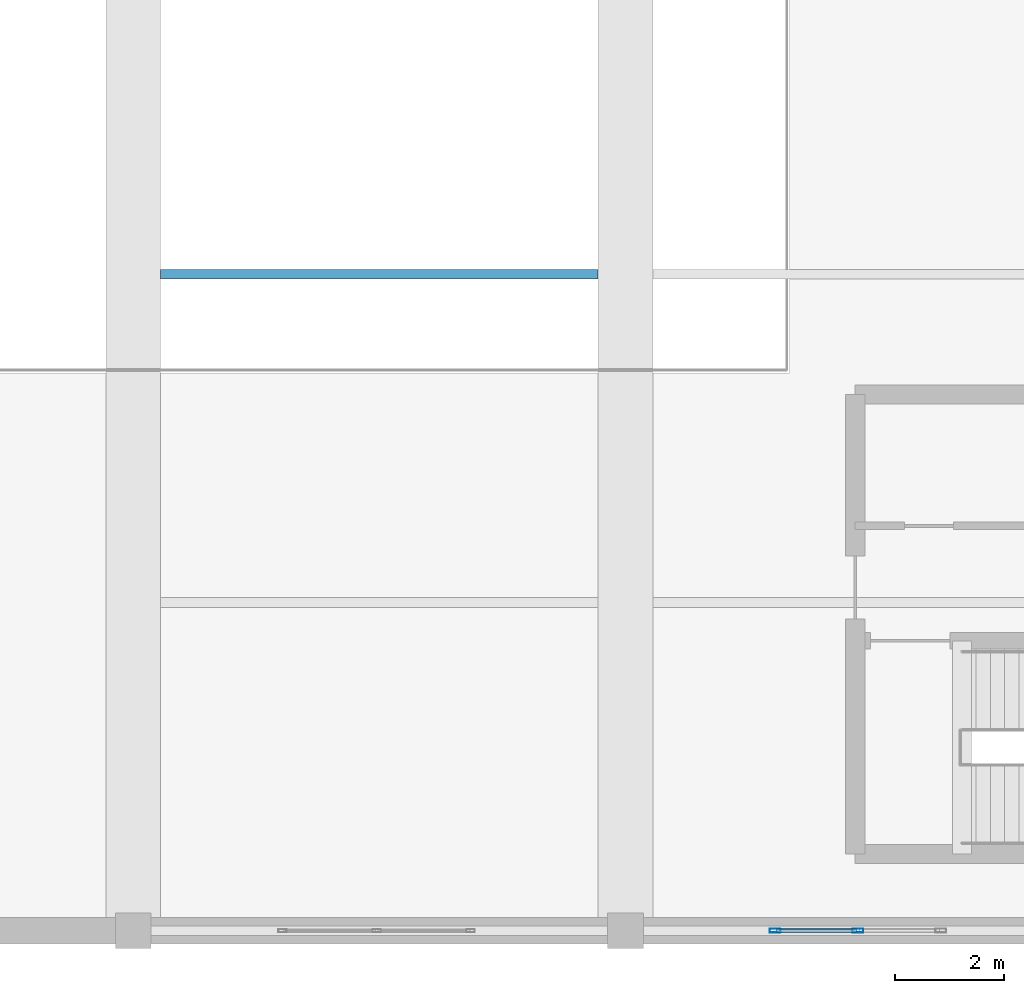
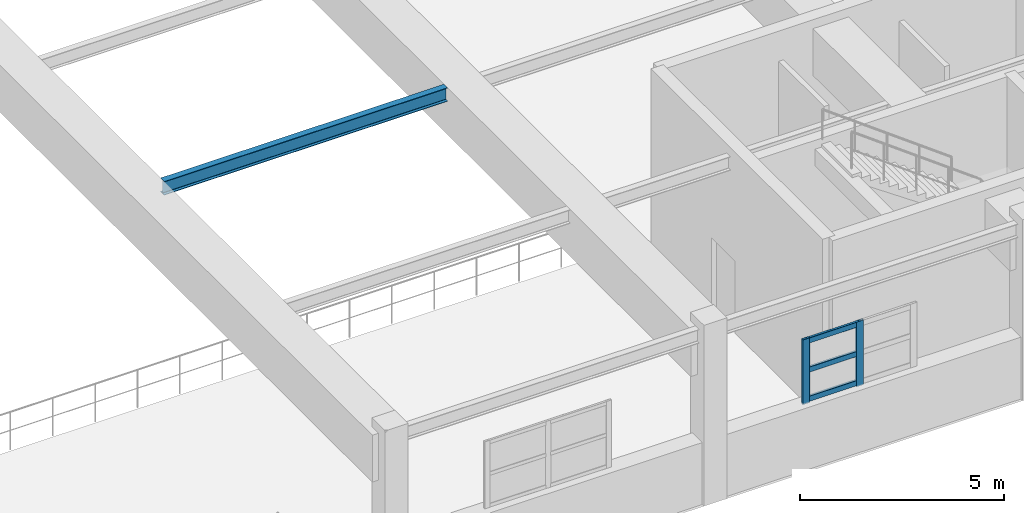
# One storey, part 17 of 197: 5 members, 1 beam, 1 element without a shape of its own.
"""IFC4 building model written with IfcOpenShell, lengths in metres."""

from ifc_helpers import new_model, si_unit, derived_unit, direction, frame, origin, origin_2d, place, context, subcontext, project, spatial, hollow_rectangle, i_section, extrude, material, layer, layer_set, material_profile, profile_set, type_object, element, aggregate, save


model = new_model("IFC4")

# Units and contexts
model_context = context("Model", 3, precision=1e-05, world=origin(), true_north=direction((0.0, 1.0)))
body_context = subcontext(model_context, "Body", "Model", "MODEL_VIEW")
ifc_project = project(units=[si_unit("LENGTHUNIT", "METRE"), si_unit("AREAUNIT", "SQUARE_METRE"), si_unit("VOLUMEUNIT", "CUBIC_METRE"), si_unit("PLANEANGLEUNIT", "RADIAN"), si_unit("MASSUNIT", "GRAM", prefix="KILO"), derived_unit("THERMALTRANSMITTANCEUNIT", [(si_unit("POWERUNIT", "WATT"), 1), (si_unit("LENGTHUNIT", "METRE"), -2), (si_unit("THERMODYNAMICTEMPERATUREUNIT", "KELVIN"), -1)])], contexts=[model_context])

# Site, building, storey
site_placement = place(None, origin())
site = spatial("IfcSite", under=ifc_project, at=site_placement, CompositionType="ELEMENT")
building_placement = place(site_placement, origin())
building = spatial("IfcBuilding", under=site, at=building_placement, Name="Almenara Railside Exhibition Hall", CompositionType="ELEMENT")
storey_placement = place(building_placement, frame((0.0, 0.0, 5.39990234375)))
storey = spatial("IfcBuildingStorey", under=building, at=storey_placement, Name="L01", CompositionType="ELEMENT", Elevation=5.39990234375)

# Curtain wall, members
ifc_material_1 = material(Name="Bronze-anodised aluminium and low-E double glazing", Category="aluminium")
ifc_layer = layer(ifc_material_1, 0.179931640625, Name="Bronze-anodised aluminium and low-E double glazing")
ifc_layer_set = layer_set([ifc_layer], Name="Bronze-anodised aluminium and low-E double glazing")
curtain_wall_type = type_object("IfcCurtainWallType", Name="Plenary Clerestory Curtain Wall 3100x1900", PredefinedType="NOTDEFINED", material=ifc_layer_set)
curtain_wall_placement = place(storey_placement, origin())
curtain_wall = element("IfcCurtainWall", 1, at=curtain_wall_placement, inside=storey, type_object=curtain_wall_type, Name="Curtain wall CW-CL6-103", PredefinedType="NOTDEFINED")
ifc_material_2 = material(Name="Bronze-anodised aluminium", Category="aluminium")
ifc_material_profile_1 = material_profile(ifc_material_2, hollow_rectangle(XDim=0.070068359375, YDim=0.199951171875, WallThickness=0.00439453125, InnerFilletRadius=0.00439453125, OuterFilletRadius=0.009033203125, at=origin_2d()), Name="ALU-MUL 70x200x4.5")
ifc_profile_set_1 = profile_set([ifc_material_profile_1], Name="Bronze-anodised aluminium")
member_type_1 = type_object("IfcMemberType", Name="Curtain Wall Mullion 70x200x4.5", PredefinedType="MULLION", material=ifc_profile_set_1)
member_1_placement = place(storey_placement, frame((50.735107421875, 0.0, 1.815185546875), z_axis=(0.0, 0.0, 1.0), x_axis=(0.0, 1.0, 0.0)))
member_1 = element("IfcMember", 2, at=member_1_placement, type_object=member_type_1, Name="CW-CL6-103 mullion 1", PredefinedType="MULLION", context=body_context, shape_type="SweptSolid", body=[
    extrude(hollow_rectangle(XDim=0.070068359375, YDim=0.199951171875, WallThickness=0.00439453125, InnerFilletRadius=0.00439453125, OuterFilletRadius=0.009033203125, at=origin_2d()), origin(), (0.0, 0.0, 1.0), 1.934814453125),
])
member_2_placement = place(storey_placement, frame((52.25, 0.0, 1.815185546875), z_axis=(0.0, 0.0, 1.0), x_axis=(0.0, 1.0, 0.0)))
member_2 = element("IfcMember", 3, at=member_2_placement, type_object=member_type_1, Name="CW-CL6-103 mullion 2", PredefinedType="MULLION", context=body_context, shape_type="SweptSolid", body=[
    extrude(hollow_rectangle(XDim=0.070068359375, YDim=0.199951171875, WallThickness=0.00439453125, InnerFilletRadius=0.00439453125, OuterFilletRadius=0.009033203125, at=origin_2d()), origin(), (0.0, 0.0, 1.0), 1.934814453125),
])
ifc_material_profile_2 = material_profile(ifc_material_2, hollow_rectangle(XDim=0.070068359375, YDim=0.159912109375, WallThickness=0.00390625, InnerFilletRadius=0.00390625, OuterFilletRadius=0.008056640625, at=origin_2d()), Name="ALU-TRN 70x160x4")
ifc_profile_set_2 = profile_set([ifc_material_profile_2], Name="Bronze-anodised aluminium")
member_type_2 = type_object("IfcMemberType", Name="Curtain Wall Transom 70x160x4", PredefinedType="USERDEFINED", material=ifc_profile_set_2)
member_3_placement = place(storey_placement, frame((50.761962890625, 0.0, 1.93017578125), z_axis=(1.0, 0.0, 0.0), x_axis=(0.0, 1.0, 0.0)))
member_3 = element("IfcMember", 4, at=member_3_placement, type_object=member_type_2, Name="CW-CL6-103 transom 1.1", ObjectType="TRANSOM", PredefinedType="USERDEFINED", context=body_context, shape_type="SweptSolid", body=[
    extrude(hollow_rectangle(XDim=0.070068359375, YDim=0.159912109375, WallThickness=0.00390625, InnerFilletRadius=0.00390625, OuterFilletRadius=0.008056640625, at=origin_2d()), origin(), (0.0, 0.0, 1.0), 1.4609375),
])
member_4_placement = place(storey_placement, frame((50.761962890625, 0.0, 2.800048828125), z_axis=(1.0, 0.0, 0.0), x_axis=(0.0, 1.0, 0.0)))
member_4 = element("IfcMember", 5, at=member_4_placement, type_object=member_type_2, Name="CW-CL6-103 transom 1.2", ObjectType="TRANSOM", PredefinedType="USERDEFINED", context=body_context, shape_type="SweptSolid", body=[
    extrude(hollow_rectangle(XDim=0.070068359375, YDim=0.159912109375, WallThickness=0.00390625, InnerFilletRadius=0.00390625, OuterFilletRadius=0.008056640625, at=origin_2d()), origin(), (0.0, 0.0, 1.0), 1.4609375),
])
member_5_placement = place(storey_placement, frame((50.761962890625, 0.0, 3.670166015625), z_axis=(1.0, 0.0, 0.0), x_axis=(0.0, 1.0, 0.0)))
member_5 = element("IfcMember", 6, at=member_5_placement, type_object=member_type_2, Name="CW-CL6-103 transom 1.3", ObjectType="TRANSOM", PredefinedType="USERDEFINED", context=body_context, shape_type="SweptSolid", body=[
    extrude(hollow_rectangle(XDim=0.070068359375, YDim=0.159912109375, WallThickness=0.00390625, InnerFilletRadius=0.00390625, OuterFilletRadius=0.008056640625, at=origin_2d()), origin(), (0.0, 0.0, 1.0), 1.4609375),
])
aggregate(curtain_wall, [member_1, member_2, member_3, member_4, member_5])

# Beam
ifc_material_3 = material(Name="Structural steel S355JR", Category="steel")
ifc_material_profile_3 = material_profile(ifc_material_3, i_section(OverallWidth=0.1787109375, OverallDepth=0.409423828125, WebThickness=0.0087890625, FlangeThickness=0.014404296875, FilletRadius=0.01025390625, at=origin_2d()), Name="UB 406x178x67")
ifc_profile_set_3 = profile_set([ifc_material_profile_3], Name="Structural steel S355JR")
beam_type = type_object("IfcBeamType", Name="Steel Plenary Joist UB 406x178x67 S355JR", PredefinedType="JOIST", material=ifc_profile_set_3)
beam_placement = place(storey_placement, frame((39.5, 12.0, 4.931396484375), z_axis=(1.0, 0.0, 0.0), x_axis=(0.0, 1.0, 0.0)))
element("IfcBeam", 7, at=beam_placement, inside=storey, type_object=beam_type, Name="Beam 0903", PredefinedType="JOIST", context=body_context, shape_type="SweptSolid", body=[
    extrude(i_section(OverallWidth=0.1787109375, OverallDepth=0.409423828125, WebThickness=0.0087890625, FlangeThickness=0.014404296875, FilletRadius=0.01025390625, at=origin_2d()), origin(), (0.0, 0.0, 1.0), 8.0),
])

save(model, "model.ifc")
